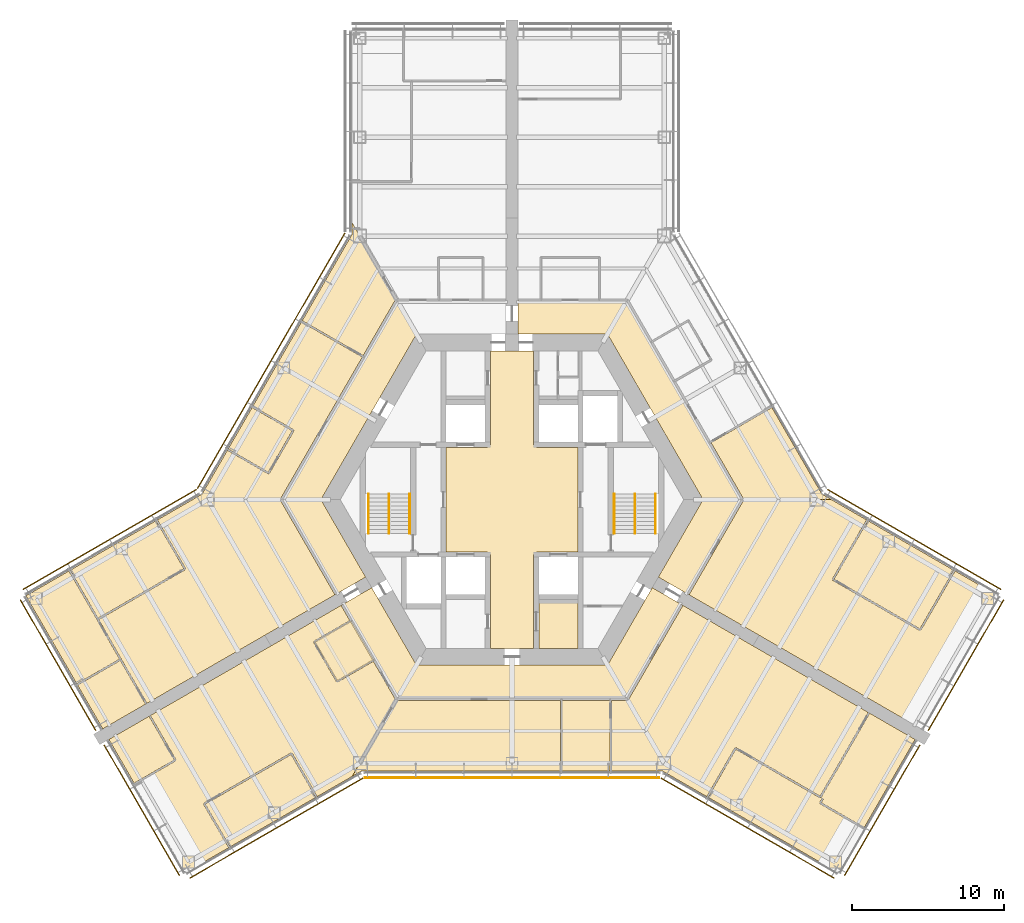
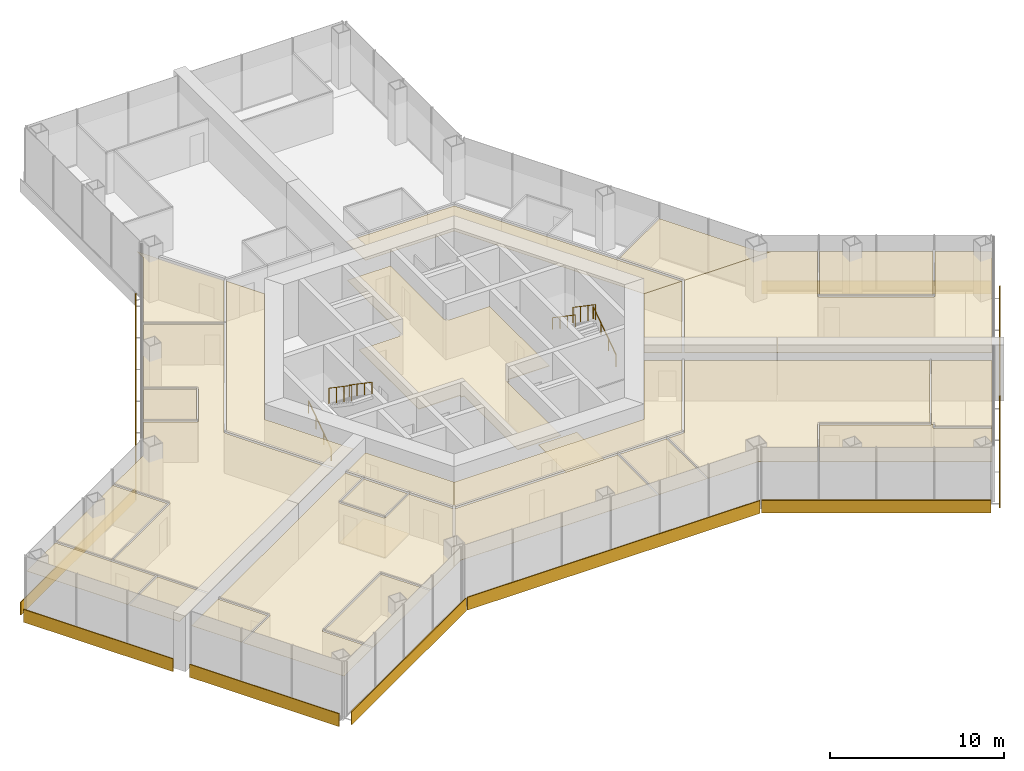
# One storey, part 17 of 18: 26 coverings, 10 shading devices, 6 railings.
"""IFC4 building model written with IfcOpenShell, lengths in metres."""

from ifc_helpers import new_model, si_unit, direction, frame, origin, origin_2d, place, context, subcontext, project, spatial, polyline, rectangle, circle, outline, extrude, material, layer, layer_set, type_object, element, save


model = new_model("IFC4")

# Units and contexts
model_context = context("Model", 3, precision=1e-05, world=origin(), true_north=direction((0.0, 1.0)))
body_context = subcontext(model_context, "Body", "Model", "MODEL_VIEW")
ifc_project = project(units=[si_unit("LENGTHUNIT", "METRE"), si_unit("AREAUNIT", "SQUARE_METRE"), si_unit("VOLUMEUNIT", "CUBIC_METRE"), si_unit("PLANEANGLEUNIT", "RADIAN"), si_unit("MASSUNIT", "GRAM", prefix="KILO")], contexts=[model_context])

# Site, building, storey
site_placement = place(None, origin())
site = spatial("IfcSite", under=ifc_project, at=site_placement, CompositionType="ELEMENT")
building_placement = place(site_placement, origin())
building = spatial("IfcBuilding", under=site, at=building_placement, Name="Kasaneha Research Tower", CompositionType="ELEMENT")
storey_placement = place(building_placement, frame((0.0, 0.0, 108.0)))
storey = spatial("IfcBuildingStorey", under=building, at=storey_placement, Name="L27", CompositionType="ELEMENT", Elevation=108.0)

# Covering
ifc_material_1 = material(Name="Aluminium panel ceiling", Category="aluminium")
ifc_layer_1 = layer(ifc_material_1, 0.0400390625)
ifc_layer_set_1 = layer_set([ifc_layer_1], Name="Lift lobby ceiling 40")
covering_type_1 = type_object("IfcCoveringType", Name="Lift lobby ceiling 40", PredefinedType="CEILING", material=ifc_layer_set_1)
covering_1_placement = place(storey_placement, frame((0.0, 0.0, 2.699951171875)))
element("IfcCovering", 1, at=covering_1_placement, inside=storey, type_object=covering_type_1, Name="Ceiling L27-01", PredefinedType="CEILING", context=body_context, shape_type="SweptSolid", body=[
    extrude(outline(polyline([(1.425048828125, 9.77490234375), (1.425048828125, 3.60009765625), (1.60009765625, 3.60009765625), (1.60009765625, 3.425048828125), (4.324951171875, 3.425048828125), (4.324951171875, -3.425048828125), (1.60009765625, -3.425048828125), (1.60009765625, -3.60009765625), (1.425048828125, -3.60009765625), (1.425048828125, -9.77490234375), (-1.425048828125, -9.77490234375), (-1.425048828125, -3.60009765625), (-1.60009765625, -3.60009765625), (-1.60009765625, -3.425048828125), (-4.324951171875, -3.425048828125), (-4.324951171875, 3.425048828125), (-1.60009765625, 3.425048828125), (-1.60009765625, 3.60009765625), (-1.425048828125, 3.60009765625), (-1.425048828125, 9.77490234375), (1.425048828125, 9.77490234375)])), origin(), (0.0, 0.0, 1.0), 0.0400390625),
])

# Railings
ifc_material_2 = material(Name="Steel", Category="steel")
railing_type_1 = type_object("IfcRailingType", Name="Stair balustrade 1100", PredefinedType="GUARDRAIL", material=ifc_material_2)
for number, where, name in (
    (2, (8.074951171875, 0.375, 2.127197265625), "Stair 1 balustrade L27"),
    (3, (-8.074951171875, 0.375, 2.127197265625), "Stair 2 balustrade L27"),
):
    element("IfcRailing", number, at=place(storey_placement, frame(where)), inside=storey, type_object=railing_type_1, Name=name, PredefinedType="GUARDRAIL", context=body_context, shape_type="SweptSolid", body=[
        extrude(circle(Radius=0.02392578125, at=origin_2d()), frame((0.0, 0.0, 1.076171875), z_axis=(0.0, -0.826240473404, 0.563317565952), x_axis=(1.0, 0.0, 0.0)), (0.0, 0.0, 1.0), 3.14697265625),
        extrude(circle(Radius=0.02099609375, at=origin_2d()), origin(), (0.0, 0.0, 1.0), 1.052001953125),
        extrude(circle(Radius=0.02099609375, at=origin_2d()), frame((0.0, -0.86669921875, 0.5908203125)), (0.0, 0.0, 1.0), 1.052001953125),
        extrude(circle(Radius=0.02099609375, at=origin_2d()), frame((0.0, -1.7333984375, 1.181884765625)), (0.0, 0.0, 1.0), 1.052001953125),
        extrude(circle(Radius=0.02099609375, at=origin_2d()), frame((0.0, -2.60009765625, 1.772705078125)), (0.0, 0.0, 1.0), 1.052001953125),
    ])
ifc_material_3 = material(Name="Steel", Category="steel")
railing_type_2 = type_object("IfcRailingType", Name="Stair handrail 850", PredefinedType="HANDRAIL", material=ifc_material_3)
railing_1_placement = place(storey_placement, frame((9.425048828125, -2.22509765625, 0.17724609375)))
element("IfcRailing", 4, at=railing_1_placement, inside=storey, type_object=railing_type_2, Name="Stair 1 handrail L27", PredefinedType="HANDRAIL", context=body_context, shape_type="SweptSolid", body=[
    extrude(circle(Radius=0.02392578125, at=origin_2d()), frame((0.0, 0.0, 0.826171875), z_axis=(0.0, 0.826240473404, 0.563317565952), x_axis=(-1.0, 0.0, 0.0)), (0.0, 0.0, 1.0), 3.14697265625),
    extrude(circle(Radius=0.02099609375, at=origin_2d()), origin(), (0.0, 0.0, 1.0), 0.802001953125),
    extrude(circle(Radius=0.02099609375, at=origin_2d()), frame((0.0, 0.86669921875, 0.5908203125)), (0.0, 0.0, 1.0), 0.802001953125),
    extrude(circle(Radius=0.02099609375, at=origin_2d()), frame((0.0, 1.7333984375, 1.181884765625)), (0.0, 0.0, 1.0), 0.802001953125),
    extrude(circle(Radius=0.02099609375, at=origin_2d()), frame((0.0, 2.60009765625, 1.772705078125)), (0.0, 0.0, 1.0), 0.802001953125),
])
railing_2_placement = place(storey_placement, frame((6.72509765625, 0.375, 2.127197265625)))
element("IfcRailing", 5, at=railing_2_placement, inside=storey, type_object=railing_type_2, Name="Stair 1 handrail L27", PredefinedType="HANDRAIL", context=body_context, shape_type="SweptSolid", body=[
    extrude(circle(Radius=0.02392578125, at=origin_2d()), frame((0.0, 0.0, 0.826171875), z_axis=(0.0, -0.826240473404, 0.563317565952), x_axis=(1.0, 0.0, 0.0)), (0.0, 0.0, 1.0), 3.14697265625),
    extrude(circle(Radius=0.02099609375, at=origin_2d()), origin(), (0.0, 0.0, 1.0), 0.802001953125),
    extrude(circle(Radius=0.02099609375, at=origin_2d()), frame((0.0, -0.86669921875, 0.5908203125)), (0.0, 0.0, 1.0), 0.802001953125),
    extrude(circle(Radius=0.02099609375, at=origin_2d()), frame((0.0, -1.7333984375, 1.181884765625)), (0.0, 0.0, 1.0), 0.802001953125),
    extrude(circle(Radius=0.02099609375, at=origin_2d()), frame((0.0, -2.60009765625, 1.772705078125)), (0.0, 0.0, 1.0), 0.802001953125),
])
railing_3_placement = place(storey_placement, frame((-9.425048828125, -2.22509765625, 0.17724609375)))
element("IfcRailing", 6, at=railing_3_placement, inside=storey, type_object=railing_type_2, Name="Stair 2 handrail L27", PredefinedType="HANDRAIL", context=body_context, shape_type="SweptSolid", body=[
    extrude(circle(Radius=0.02392578125, at=origin_2d()), frame((0.0, 0.0, 0.826171875), z_axis=(0.0, 0.826240473404, 0.563317565952), x_axis=(-1.0, 0.0, 0.0)), (0.0, 0.0, 1.0), 3.14697265625),
    extrude(circle(Radius=0.02099609375, at=origin_2d()), origin(), (0.0, 0.0, 1.0), 0.802001953125),
    extrude(circle(Radius=0.02099609375, at=origin_2d()), frame((0.0, 0.86669921875, 0.5908203125)), (0.0, 0.0, 1.0), 0.802001953125),
    extrude(circle(Radius=0.02099609375, at=origin_2d()), frame((0.0, 1.7333984375, 1.181884765625)), (0.0, 0.0, 1.0), 0.802001953125),
    extrude(circle(Radius=0.02099609375, at=origin_2d()), frame((0.0, 2.60009765625, 1.772705078125)), (0.0, 0.0, 1.0), 0.802001953125),
])
railing_4_placement = place(storey_placement, frame((-6.72509765625, 0.375, 2.127197265625)))
element("IfcRailing", 7, at=railing_4_placement, inside=storey, type_object=railing_type_2, Name="Stair 2 handrail L27", PredefinedType="HANDRAIL", context=body_context, shape_type="SweptSolid", body=[
    extrude(circle(Radius=0.02392578125, at=origin_2d()), frame((0.0, 0.0, 0.826171875), z_axis=(0.0, -0.826240473404, 0.563317565952), x_axis=(1.0, 0.0, 0.0)), (0.0, 0.0, 1.0), 3.14697265625),
    extrude(circle(Radius=0.02099609375, at=origin_2d()), origin(), (0.0, 0.0, 1.0), 0.802001953125),
    extrude(circle(Radius=0.02099609375, at=origin_2d()), frame((0.0, -0.86669921875, 0.5908203125)), (0.0, 0.0, 1.0), 0.802001953125),
    extrude(circle(Radius=0.02099609375, at=origin_2d()), frame((0.0, -1.7333984375, 1.181884765625)), (0.0, 0.0, 1.0), 0.802001953125),
    extrude(circle(Radius=0.02099609375, at=origin_2d()), frame((0.0, -2.60009765625, 1.772705078125)), (0.0, 0.0, 1.0), 0.802001953125),
])

# Coverings
ifc_material_4 = material(Name="Gypsum ceiling board", Category="gypsum")
ifc_layer_2 = layer(ifc_material_4, 0.02001953125)
ifc_layer_set_2 = layer_set([ifc_layer_2], Name="Suspended ceiling 20")
covering_type_2 = type_object("IfcCoveringType", Name="Suspended ceiling 20", PredefinedType="CEILING", material=ifc_layer_set_2)
covering_2_placement = place(storey_placement, frame((0.0, 0.0, 2.800048828125)))
element("IfcCovering", 8, at=covering_2_placement, inside=storey, type_object=covering_type_2, Name="Ceiling L27-25", PredefinedType="CEILING", context=body_context, shape_type="SweptSolid", body=[
    extrude(outline(polyline([(6.278564453125, 10.875), (0.39990234375, 10.875), (0.39990234375, 11.72509765625), (0.39990234375, 12.72509765625), (0.39990234375, 13.125), (0.419921875, 13.125), (0.419921875, 13.050048828125), (1.89501953125, 13.050048828125), (1.904541015625, 13.050048828125), (5.75244140625, 13.050048828125), (5.761962890625, 13.050048828125), (7.534423828125, 13.050048828125), (9.103759765625, 10.33154296875), (9.103759765625, 10.33154296875), (10.599365234375, 7.7412109375), (10.599365234375, 7.7412109375), (12.927001953125, 3.709716796875), (12.927001953125, 3.709716796875), (15.06884765625, 0.0), (15.06884765625, 0.0), (12.557373046875, 0.0), (6.278564453125, 10.875)])), origin(), (0.0, 0.0, 1.0), 0.02001953125),
])
covering_3_placement = place(storey_placement, frame((0.0, 0.0, 2.800048828125)))
element("IfcCovering", 9, at=covering_3_placement, inside=storey, type_object=covering_type_2, Name="Ceiling L27-28", PredefinedType="CEILING", context=body_context, shape_type="SweptSolid", body=[
    extrude(outline(polyline([(21.000244140625, -0.00048828125), (15.15576171875, -0.00048828125), (15.14404296875, 0.02001953125), (15.208740234375, 0.0576171875), (13.08203125, 3.741455078125), (17.081298828125, 6.055419921875), (20.366455078125, 0.366455078125), (21.000244140625, -0.00048828125)])), origin(), (0.0, 0.0, 1.0), 0.02001953125),
])
covering_4_placement = place(storey_placement, frame((0.0, 0.0, 2.800048828125)))
element("IfcCovering", 10, at=covering_4_placement, inside=storey, type_object=covering_type_2, Name="Ceiling L27-36", PredefinedType="CEILING", context=body_context, shape_type="SweptSolid", body=[
    extrude(outline(polyline([(-12.557373046875, 0.0), (-9.617919921875, -5.091064453125), (-11.566650390625, -6.216064453125), (-11.57666015625, -6.19873046875), (-11.51171875, -6.161376953125), (-15.06884765625, 0.0), (-9.67626953125, 9.34033203125), (-9.67626953125, 9.34033203125), (-7.534423828125, 13.050048828125), (-7.534423828125, 13.050048828125), (-6.278564453125, 10.875), (-12.557373046875, 0.0)])), origin(), (0.0, 0.0, 1.0), 0.02001953125),
])
covering_5_placement = place(storey_placement, frame((0.0, 0.0, 2.800048828125)))
element("IfcCovering", 11, at=covering_5_placement, inside=storey, type_object=covering_type_2, Name="Ceiling L27-37", PredefinedType="CEILING", context=body_context, shape_type="SweptSolid", body=[
    extrude(outline(polyline([(-10.499755859375, 18.18701171875), (-7.577392578125, 13.12548828125), (-7.58935546875, 13.10498046875), (-7.654296875, 13.142578125), (-9.78125, 9.45849609375), (-13.767578125, 11.755126953125), (-13.79248046875, 11.711669921875), (-13.809814453125, 11.7216796875), (-10.50048828125, 17.45458984375), (-10.499755859375, 18.18701171875)])), origin(), (0.0, 0.0, 1.0), 0.02001953125),
])
covering_6_placement = place(storey_placement, frame((0.0, 0.0, 2.800048828125)))
element("IfcCovering", 12, at=covering_6_placement, inside=storey, type_object=covering_type_2, Name="Ceiling L27-38", PredefinedType="CEILING", context=body_context, shape_type="SweptSolid", body=[
    extrude(outline(polyline([(-23.34228515625, -1.352294921875), (-23.332275390625, -1.36962890625), (-23.37548828125, -1.39453125), (-21.560546875, -4.538330078125), (-27.203857421875, -7.7919921875), (-29.03173828125, -4.63720703125), (-23.34228515625, -1.352294921875)])), origin(), (0.0, 0.0, 1.0), 0.02001953125),
])
covering_7_placement = place(storey_placement, frame((0.0, 0.0, 2.800048828125)))
element("IfcCovering", 13, at=covering_7_placement, inside=storey, type_object=covering_type_2, Name="Ceiling L27-39", PredefinedType="CEILING", context=body_context, shape_type="SweptSolid", body=[
    extrude(outline(polyline([(-29.075439453125, -4.661865234375), (-29.0751953125, -4.662109375), (-29.1181640625, -4.687255859375), (-27.265625, -7.885009765625), (-27.27001953125, -7.887451171875), (-25.790771484375, -10.477783203125), (-28.599609375, -12.10498046875), (-31.94189453125, -6.31689453125), (-29.075439453125, -4.661865234375)])), origin(), (0.0, 0.0, 1.0), 0.02001953125),
])
covering_8_placement = place(storey_placement, frame((0.0, 0.0, 2.800048828125)))
element("IfcCovering", 14, at=covering_8_placement, inside=storey, type_object=covering_type_2, Name="Ceiling L27-40", PredefinedType="CEILING", context=body_context, shape_type="SweptSolid", body=[
    extrude(outline(polyline([(-24.033447265625, -13.413818359375), (-26.891357421875, -15.063720703125), (-28.57177734375, -12.153076171875), (-28.549560546875, -12.19140625), (-25.7412109375, -10.564453125), (-24.086669921875, -13.421630859375), (-24.04345703125, -13.396484375), (-24.033447265625, -13.413818359375)])), origin(), (0.0, 0.0, 1.0), 0.02001953125),
])
covering_9_placement = place(storey_placement, frame((0.0, 0.0, 2.800048828125)))
element("IfcCovering", 15, at=covering_9_placement, inside=storey, type_object=covering_type_2, Name="Ceiling L27-41", PredefinedType="CEILING", context=body_context, shape_type="SweptSolid", body=[
    extrude(outline(polyline([(-17.05615234375, 6.098876953125), (-17.05615234375, 6.098876953125), (-17.081298828125, 6.055419921875), (-14.439697265625, 4.530517578125), (-16.012939453125, 1.8056640625), (-18.63720703125, 3.320556640625), (-18.662109375, 3.27734375), (-18.679443359375, 3.287353515625), (-17.05615234375, 6.098876953125)])), origin(), (0.0, 0.0, 1.0), 0.02001953125),
])
covering_10_placement = place(storey_placement, frame((0.0, 0.0, 2.800048828125)))
element("IfcCovering", 16, at=covering_10_placement, inside=storey, type_object=covering_type_2, Name="Ceiling L27-42", PredefinedType="CEILING", context=body_context, shape_type="SweptSolid", body=[
    extrude(outline(polyline([(-21.49169921875, -4.556640625), (-21.491943359375, -4.556396484375), (-21.448974609375, -4.531494140625), (-23.288818359375, -1.344482421875), (-23.331787109375, -1.369384765625), (-23.341796875, -1.35205078125), (-20.365966796875, 0.365966796875), (-18.6796875, 3.286865234375), (-18.662353515625, 3.27685546875), (-18.68701171875, 3.23388671875), (-16.019775390625, 1.694091796875), (-15.994873046875, 1.737060546875), (-15.994384765625, 1.73681640625), (-15.994384765625, 1.737060546875), (-15.951416015625, 1.71240234375), (-14.328125, 4.523681640625), (-14.37158203125, 4.548828125), (-14.346435546875, 4.592041015625), (-17.03125, 6.14208984375), (-17.055908203125, 6.09912109375), (-17.055908203125, 6.09912109375), (-13.81005859375, 11.72119140625), (-13.792724609375, 11.711181640625), (-13.8173828125, 11.66845703125), (-9.8310546875, 9.371826171875), (-15.220458984375, 0.03759765625), (-15.15576171875, 0.000244140625), (-15.156005859375, 0.0), (-15.15576171875, -0.000244140625), (-15.220458984375, -0.03759765625), (-11.6416015625, -6.236328125), (-11.576904296875, -6.198974609375), (-11.567138671875, -6.21630859375), (-24.032958984375, -13.41357421875), (-24.04296875, -13.396240234375), (-24.000244140625, -13.371337890625), (-25.677001953125, -10.475830078125), (-25.677001953125, -10.475830078125), (-27.158447265625, -7.881103515625), (-21.46728515625, -4.599853515625), (-21.491943359375, -4.556884765625), (-21.49169921875, -4.556640625)])), origin(), (0.0, 0.0, 1.0), 0.02001953125),
])
covering_11_placement = place(storey_placement, frame((0.0, 0.0, 2.800048828125)))
element("IfcCovering", 17, at=covering_11_placement, inside=storey, type_object=covering_type_2, Name="Ceiling L27-43", PredefinedType="CEILING", context=body_context, shape_type="SweptSolid", body=[
    extrude(outline(polyline([(-9.218017578125, -5.783935546875), (-6.278564453125, -10.875), (-7.534423828125, -13.050048828125), (-7.534423828125, -13.050048828125), (-9.00390625, -10.5048828125), (-9.00390625, -10.5048828125), (-10.49951171875, -7.91455078125), (-10.499267578125, -7.91455078125), (-11.091552734375, -6.888671875), (-11.156494140625, -6.92626953125), (-11.16650390625, -6.908935546875), (-10.85693359375, -6.72998046875), (-9.218017578125, -5.783935546875)])), origin(), (0.0, 0.0, 1.0), 0.02001953125),
])
covering_12_placement = place(storey_placement, frame((0.0, 0.0, 2.800048828125)))
element("IfcCovering", 18, at=covering_12_placement, inside=storey, type_object=covering_type_2, Name="Ceiling L27-44", PredefinedType="CEILING", context=body_context, shape_type="SweptSolid", body=[
    extrude(outline(polyline([(-10.604248046875, -8.03271484375), (-9.15869140625, -10.53662109375), (-11.47314453125, -11.8779296875), (-12.923095703125, -9.366455078125), (-10.604248046875, -8.03271484375)])), origin(), (0.0, 0.0, 1.0), 0.02001953125),
])
covering_13_placement = place(storey_placement, frame((0.0, 0.0, 2.800048828125)))
element("IfcCovering", 19, at=covering_13_placement, inside=storey, type_object=covering_type_2, Name="Ceiling L27-45", PredefinedType="CEILING", context=body_context, shape_type="SweptSolid", body=[
    extrude(outline(polyline([(-18.574951171875, -22.8486328125), (-18.5849609375, -22.831298828125), (-18.541748046875, -22.806396484375), (-20.15673828125, -20.009033203125), (-14.510498046875, -16.749267578125), (-12.885498046875, -19.563720703125), (-12.84228515625, -19.538818359375), (-12.84228515625, -19.538818359375), (-18.574951171875, -22.8486328125)])), origin(), (0.0, 0.0, 1.0), 0.02001953125),
])
covering_14_placement = place(storey_placement, frame((0.0, 0.0, 2.800048828125)))
element("IfcCovering", 20, at=covering_14_placement, inside=storey, type_object=covering_type_2, Name="Ceiling L27-46", PredefinedType="CEILING", context=body_context, shape_type="SweptSolid", body=[
    extrude(outline(polyline([(-23.806640625, -14.20654296875), (-23.796630859375, -14.223876953125), (-23.840087890625, -14.2490234375), (-22.191650390625, -17.10400390625), (-24.8330078125, -18.62890625), (-24.80810546875, -18.67236328125), (-24.80810546875, -18.67236328125), (-26.491455078125, -15.756591796875), (-23.806640625, -14.20654296875)])), origin(), (0.0, 0.0, 1.0), 0.02001953125),
])
covering_15_placement = place(storey_placement, frame((0.0, 0.0, 2.800048828125)))
element("IfcCovering", 21, at=covering_15_placement, inside=storey, type_object=covering_type_2, Name="Ceiling L27-47", PredefinedType="CEILING", context=body_context, shape_type="SweptSolid", body=[
    extrude(outline(polyline([(-12.991943359375, -9.34814453125), (-12.991943359375, -9.348388671875), (-13.034912109375, -9.373046875), (-11.534912109375, -11.97119140625), (-11.491943359375, -11.946533203125), (-11.491943359375, -11.946533203125), (-11.491455078125, -11.9462890625), (-11.46630859375, -11.989501953125), (-9.108642578125, -10.623291015625), (-7.654296875, -13.142578125), (-7.589599609375, -13.105224609375), (-7.577880859375, -13.12548828125), (-10.5, -18.1865234375), (-12.841796875, -19.53857421875), (-12.841796875, -19.53857421875), (-12.798828125, -19.513916015625), (-14.448974609375, -16.656005859375), (-14.4921875, -16.680908203125), (-14.51708984375, -16.6376953125), (-20.25, -19.947509765625), (-20.225341796875, -19.990234375), (-20.225341796875, -19.990478515625), (-20.22509765625, -19.99072265625), (-20.268310546875, -20.015625), (-18.62841796875, -22.856201171875), (-18.58544921875, -22.83154296875), (-18.575439453125, -22.848876953125), (-21.44140625, -24.50341796875), (-24.782958984375, -18.715576171875), (-22.098388671875, -17.16552734375), (-22.123046875, -17.12255859375), (-22.122802734375, -17.122314453125), (-22.123046875, -17.1220703125), (-22.080078125, -17.097412109375), (-23.75341796875, -14.198974609375), (-23.796142578125, -14.2236328125), (-23.80615234375, -14.206298828125), (-17.468505859375, -10.54736328125), (-11.1669921875, -6.9091796875), (-11.156982421875, -6.926513671875), (-11.221435546875, -6.963623046875), (-10.654296875, -7.946044921875), (-13.016357421875, -9.3046875), (-12.99169921875, -9.347900390625), (-12.991943359375, -9.34814453125)])), origin(), (0.0, 0.0, 1.0), 0.02001953125),
])
covering_16_placement = place(storey_placement, frame((0.0, 0.0, 2.800048828125)))
element("IfcCovering", 22, at=covering_16_placement, inside=storey, type_object=covering_type_2, Name="Ceiling L27-48", PredefinedType="CEILING", context=body_context, shape_type="SweptSolid", body=[
    extrude(outline(polyline([(15.06884765625, 0.0), (11.51171875, -6.161376953125), (11.57666015625, -6.19873046875), (11.566650390625, -6.216064453125), (9.617919921875, -5.091064453125), (12.557373046875, 0.0), (15.06884765625, 0.0)])), origin(), (0.0, 0.0, 1.0), 0.02001953125),
])
covering_17_placement = place(storey_placement, frame((0.0, 0.0, 2.800048828125)))
element("IfcCovering", 23, at=covering_17_placement, inside=storey, type_object=covering_type_2, Name="Ceiling L27-49", PredefinedType="CEILING", context=body_context, shape_type="SweptSolid", body=[
    extrude(outline(polyline([(29.03173828125, -4.63720703125), (26.806640625, -8.490966796875), (21.160400390625, -5.231201171875), (23.37548828125, -1.39453125), (23.332275390625, -1.36962890625), (23.34228515625, -1.352294921875), (29.03173828125, -4.63720703125)])), origin(), (0.0, 0.0, 1.0), 0.02001953125),
])
covering_18_placement = place(storey_placement, frame((0.0, 0.0, 2.800048828125)))
element("IfcCovering", 24, at=covering_18_placement, inside=storey, type_object=covering_type_2, Name="Ceiling L27-50", PredefinedType="CEILING", context=body_context, shape_type="SweptSolid", body=[
    extrude(outline(polyline([(21.0, 0.0), (23.341796875, -1.35205078125), (23.331787109375, -1.369384765625), (23.288818359375, -1.344482421875), (21.048828125, -5.224365234375), (21.09228515625, -5.24951171875), (21.067138671875, -5.292724609375), (26.800048828125, -8.6025390625), (26.82470703125, -8.5595703125), (26.824951171875, -8.5595703125), (26.8251953125, -8.559326171875), (26.868408203125, -8.584228515625), (29.118408203125, -4.68701171875), (31.94140625, -6.31689453125), (26.891357421875, -15.063720703125), (11.567138671875, -6.21630859375), (11.576904296875, -6.198974609375), (11.6416015625, -6.236328125), (15.208740234375, -0.0576171875), (15.144287109375, -0.020263671875), (15.156005859375, 0.0), (21.0, 0.0)])), origin(), (0.0, 0.0, 1.0), 0.02001953125),
])
covering_19_placement = place(storey_placement, frame((0.0, 0.0, 2.800048828125)))
element("IfcCovering", 25, at=covering_19_placement, inside=storey, type_object=covering_type_2, Name="Ceiling L27-51", PredefinedType="CEILING", context=body_context, shape_type="SweptSolid", body=[
    extrude(outline(polyline([(-6.278564453125, -10.875), (6.278564453125, -10.875), (9.218017578125, -5.783935546875), (10.85693359375, -6.72998046875), (11.16650390625, -6.908935546875), (11.156494140625, -6.92626953125), (11.091552734375, -6.888671875), (7.534423828125, -13.050048828125), (6.497802734375, -13.050048828125), (6.48828125, -13.050048828125), (3.2509765625, -13.050048828125), (3.241455078125, -13.050048828125), (-7.534423828125, -13.050048828125), (-6.278564453125, -10.875)])), origin(), (0.0, 0.0, 1.0), 0.02001953125),
])
covering_20_placement = place(storey_placement, frame((0.0, 0.0, 2.800048828125)))
element("IfcCovering", 26, at=covering_20_placement, inside=storey, type_object=covering_type_2, Name="Ceiling L27-52", PredefinedType="CEILING", context=body_context, shape_type="SweptSolid", body=[
    extrude(outline(polyline([(3.246337890625, -17.800537109375), (3.29638671875, -17.800537109375), (3.30078125, -13.199951171875), (6.4384765625, -13.199951171875), (6.44287109375, -17.800537109375), (6.492919921875, -17.800537109375), (6.492919921875, -17.820556640625), (3.246337890625, -17.820556640625), (3.246337890625, -17.800537109375)])), origin(), (0.0, 0.0, 1.0), 0.02001953125),
])
covering_21_placement = place(storey_placement, frame((0.0, 0.0, 2.800048828125)))
element("IfcCovering", 27, at=covering_21_placement, inside=storey, type_object=covering_type_2, Name="Ceiling L27-53", PredefinedType="CEILING", context=body_context, shape_type="SweptSolid", body=[
    extrude(outline(polyline([(23.130859375, -21.578125), (23.135986328125, -21.58544921875), (23.134765625, -21.59423828125), (21.45166015625, -24.509521484375), (21.4443359375, -24.51513671875), (21.435302734375, -24.513916015625), (18.5693359375, -22.859375), (18.563720703125, -22.85205078125), (18.56494140625, -22.8427734375), (12.84228515625, -19.538818359375), (12.84228515625, -19.538818359375), (12.885498046875, -19.563720703125), (14.71044921875, -16.40283203125), (20.239013671875, -19.5947265625), (20.26416015625, -19.551513671875), (20.307373046875, -19.576416015625), (20.307373046875, -19.576416015625), (20.381591796875, -19.619384765625), (20.214599609375, -19.908447265625), (20.258056640625, -19.933349609375), (20.23291015625, -19.976806640625), (23.08203125, -21.62158203125), (23.107177734375, -21.578369140625), (23.12451171875, -21.58837890625), (23.130859375, -21.578125)])), origin(), (0.0, 0.0, 1.0), 0.02001953125),
])
covering_22_placement = place(storey_placement, frame((0.0, 0.0, 2.800048828125)))
element("IfcCovering", 28, at=covering_22_placement, inside=storey, type_object=covering_type_2, Name="Ceiling L27-54", PredefinedType="CEILING", context=body_context, shape_type="SweptSolid", body=[
    extrude(outline(polyline([(23.107421875, -21.577880859375), (23.132080078125, -21.534912109375), (20.326416015625, -19.9150390625), (20.46826171875, -19.669189453125), (20.381591796875, -19.619384765625), (20.381591796875, -19.619384765625), (20.307373046875, -19.576416015625), (23.49365234375, -14.049072265625), (23.4501953125, -14.02392578125), (23.460205078125, -14.006591796875), (26.491455078125, -15.756591796875), (23.124755859375, -21.587890625), (23.107421875, -21.577880859375)])), origin(), (0.0, 0.0, 1.0), 0.02001953125),
])
covering_23_placement = place(storey_placement, frame((0.0, 0.0, 2.800048828125)))
element("IfcCovering", 29, at=covering_23_placement, inside=storey, type_object=covering_type_2, Name="Ceiling L27-55", PredefinedType="CEILING", context=body_context, shape_type="SweptSolid", body=[
    extrude(outline(polyline([(7.578125, -13.125244140625), (7.578125, -13.125244140625), (7.642578125, -13.16259765625), (11.221435546875, -6.963623046875), (11.156982421875, -6.926513671875), (11.1669921875, -6.9091796875), (15.218994140625, -9.24853515625), (23.459716796875, -14.00634765625), (23.449951171875, -14.023681640625), (23.406982421875, -13.9990234375), (20.245849609375, -19.483154296875), (14.71728515625, -16.291259765625), (14.6923828125, -16.334228515625), (14.6923828125, -16.333984375), (14.692138671875, -16.33447265625), (14.64892578125, -16.3095703125), (12.798828125, -19.513916015625), (12.841796875, -19.53857421875), (12.841796875, -19.53857421875), (9.865966796875, -17.820556640625), (6.493408203125, -17.820556640625), (6.493408203125, -17.800537109375), (6.542724609375, -17.800537109375), (6.538330078125, -13.199951171875), (7.57763671875, -13.199951171875), (7.57763671875, -13.125244140625), (7.578125, -13.125244140625)])), origin(), (0.0, 0.0, 1.0), 0.02001953125),
])
covering_24_placement = place(storey_placement, frame((0.0, 0.0, 2.800048828125)))
element("IfcCovering", 30, at=covering_24_placement, inside=storey, type_object=covering_type_2, Name="Ceiling L27-56", PredefinedType="CEILING", context=body_context, shape_type="SweptSolid", body=[
    extrude(outline(polyline([(-7.577880859375, -13.12548828125), (-7.5546875, -13.12548828125), (-7.5546875, -13.199951171875), (3.200927734375, -13.199951171875), (3.1962890625, -17.800537109375), (3.245849609375, -17.800537109375), (3.245849609375, -17.820556640625), (-9.865966796875, -17.820556640625), (-10.5, -18.1865234375), (-7.577880859375, -13.12548828125)])), origin(), (0.0, 0.0, 1.0), 0.02001953125),
])

# Shading devices
ifc_material_5 = material(Name="Terracotta", Category="masonry")
ifc_layer_3 = layer(ifc_material_5, 0.06005859375)
ifc_layer_set_3 = layer_set([ifc_layer_3], Name="Terracotta baguette screen")
shading_device_type = type_object("IfcShadingDeviceType", Name="Terracotta baguette screen", PredefinedType="USERDEFINED", material=ifc_layer_set_3)
shading_device_1_placement = place(storey_placement, frame((-15.483642578125, -21.58349609375, -0.449951171875), z_axis=(0.0, 0.0, 1.0), x_axis=(0.866025411464, 0.499999986699, 0.0)))
element("IfcShadingDevice", 31, at=shading_device_1_placement, inside=storey, type_object=shading_device_type, Name="Baguette screen L27 01", ObjectType="TERRACOTTA BAGUETTE SCREEN", PredefinedType="USERDEFINED", context=body_context, shape_type="SweptSolid", body=[
    extrude(rectangle(XDim=13.13916015625, YDim=0.06005859375, at=origin_2d()), origin(), (0.0, 0.0, 1.0), 0.89990234375),
])
shading_device_2_placement = place(storey_placement, frame((0.0, -18.2705078125, -0.449951171875), z_axis=(0.0, 0.0, 1.0), x_axis=(1.0, 0.0, 0.0)))
element("IfcShadingDevice", 32, at=shading_device_2_placement, inside=storey, type_object=shading_device_type, Name="Baguette screen L27 02", ObjectType="TERRACOTTA BAGUETTE SCREEN", PredefinedType="USERDEFINED", context=body_context, shape_type="SweptSolid", body=[
    extrude(rectangle(XDim=19.37841796875, YDim=0.06005859375, at=origin_2d()), origin(), (0.0, 0.0, 1.0), 0.89990234375),
])
shading_device_3_placement = place(storey_placement, frame((15.483642578125, -21.58349609375, -0.449951171875), z_axis=(0.0, 0.0, 1.0), x_axis=(0.866025411464, -0.499999986699, 0.0)))
element("IfcShadingDevice", 33, at=shading_device_3_placement, inside=storey, type_object=shading_device_type, Name="Baguette screen L27 03", ObjectType="TERRACOTTA BAGUETTE SCREEN", PredefinedType="USERDEFINED", context=body_context, shape_type="SweptSolid", body=[
    extrude(rectangle(XDim=13.13916015625, YDim=0.06005859375, at=origin_2d()), origin(), (0.0, 0.0, 1.0), 0.89990234375),
])
for number, where, z_axis, x_axis, name in (
    (34, (24.3310546875, -20.3984375, -0.449951171875), (0.0, 0.0, 1.0), (0.500000011442, 0.866025397178, 0.0), "Baguette screen L27 04"),
    (35, (29.8310546875, -10.8720703125, -0.449951171875), (0.0, 0.0, 1.0), (0.500000011442, 0.866025397178, 0.0), "Baguette screen L27 05"),
):
    element("IfcShadingDevice", number, at=place(storey_placement, frame(where, z_axis=z_axis, x_axis=x_axis)), inside=storey, type_object=shading_device_type, Name=name, ObjectType="TERRACOTTA BAGUETTE SCREEN", PredefinedType="USERDEFINED", context=body_context, shape_type="SweptSolid", body=[
        extrude(rectangle(XDim=9.89990234375, YDim=0.06005859375, at=origin_2d()), origin(), (0.0, 0.0, 1.0), 0.89990234375),
    ])
shading_device_4_placement = place(storey_placement, frame((26.43359375, -2.617431640625, -0.449951171875), z_axis=(0.0, 0.0, 1.0), x_axis=(-0.866025411464, 0.499999986699, 0.0)))
element("IfcShadingDevice", 36, at=shading_device_4_placement, inside=storey, type_object=shading_device_type, Name="Baguette screen L27 06", ObjectType="TERRACOTTA BAGUETTE SCREEN", PredefinedType="USERDEFINED", context=body_context, shape_type="SweptSolid", body=[
    extrude(rectangle(XDim=13.13916015625, YDim=0.06005859375, at=origin_2d()), origin(), (0.0, 0.0, 1.0), 0.89990234375),
])
shading_device_5_placement = place(storey_placement, frame((-15.82275390625, 9.13525390625, -0.449951171875), z_axis=(0.0, 0.0, 1.0), x_axis=(-0.49999996188, -0.866025425793, 0.0)))
element("IfcShadingDevice", 37, at=shading_device_5_placement, inside=storey, type_object=shading_device_type, Name="Baguette screen L27 12", ObjectType="TERRACOTTA BAGUETTE SCREEN", PredefinedType="USERDEFINED", context=body_context, shape_type="SweptSolid", body=[
    extrude(rectangle(XDim=19.37841796875, YDim=0.06005859375, at=origin_2d()), origin(), (0.0, 0.0, 1.0), 0.89990234375),
])
shading_device_6_placement = place(storey_placement, frame((-26.43359375, -2.617431640625, -0.449951171875), z_axis=(0.0, 0.0, 1.0), x_axis=(-0.866025411464, -0.499999986699, 0.0)))
element("IfcShadingDevice", 38, at=shading_device_6_placement, inside=storey, type_object=shading_device_type, Name="Baguette screen L27 13", ObjectType="TERRACOTTA BAGUETTE SCREEN", PredefinedType="USERDEFINED", context=body_context, shape_type="SweptSolid", body=[
    extrude(rectangle(XDim=13.13916015625, YDim=0.06005859375, at=origin_2d()), origin(), (0.0, 0.0, 1.0), 0.89990234375),
])
for number, where, z_axis, x_axis, name in (
    (39, (-29.8310546875, -10.8720703125, -0.449951171875), (0.0, 0.0, 1.0), (0.500000011442, -0.866025397178, 0.0), "Baguette screen L27 14"),
    (40, (-24.3310546875, -20.3984375, -0.449951171875), (0.0, 0.0, 1.0), (0.500000011442, -0.866025397178, 0.0), "Baguette screen L27 15"),
):
    element("IfcShadingDevice", number, at=place(storey_placement, frame(where, z_axis=z_axis, x_axis=x_axis)), inside=storey, type_object=shading_device_type, Name=name, ObjectType="TERRACOTTA BAGUETTE SCREEN", PredefinedType="USERDEFINED", context=body_context, shape_type="SweptSolid", body=[
        extrude(rectangle(XDim=9.89990234375, YDim=0.06005859375, at=origin_2d()), origin(), (0.0, 0.0, 1.0), 0.89990234375),
    ])

# Coverings
ifc_material_6 = material(Name="Vinyl sheet flooring", Category="plastic")
ifc_layer_4 = layer(ifc_material_6, 0.0048828125)
ifc_layer_set_4 = layer_set([ifc_layer_4], Name="Wet room sheet flooring 5")
covering_type_3 = type_object("IfcCoveringType", Name="Wet room sheet flooring 5", PredefinedType="FLOORING", material=ifc_layer_set_4)
covering_25_placement = place(storey_placement, origin())
element("IfcCovering", 41, at=covering_25_placement, inside=storey, type_object=covering_type_3, Name="Floor finish L27-11", PredefinedType="FLOORING", context=body_context, shape_type="SweptSolid", body=[
    extrude(outline(polyline([(1.77490234375, -9.77490234375), (1.77490234375, -6.574951171875), (4.324951171875, -6.574951171875), (4.324951171875, -9.77490234375), (1.77490234375, -9.77490234375)])), origin(), (0.0, 0.0, 1.0), 0.0048828125),
])
covering_26_placement = place(storey_placement, origin())
element("IfcCovering", 42, at=covering_26_placement, inside=storey, type_object=covering_type_3, Name="Floor finish L27-44", PredefinedType="FLOORING", context=body_context, shape_type="SweptSolid", body=[
    extrude(outline(polyline([(-11.491455078125, -11.9462890625), (-12.991455078125, -9.34814453125), (-10.566650390625, -7.9482421875), (-9.066650390625, -10.546142578125), (-11.491455078125, -11.9462890625)])), origin(), (0.0, 0.0, 1.0), 0.0048828125),
])

save(model, "model.ifc")
